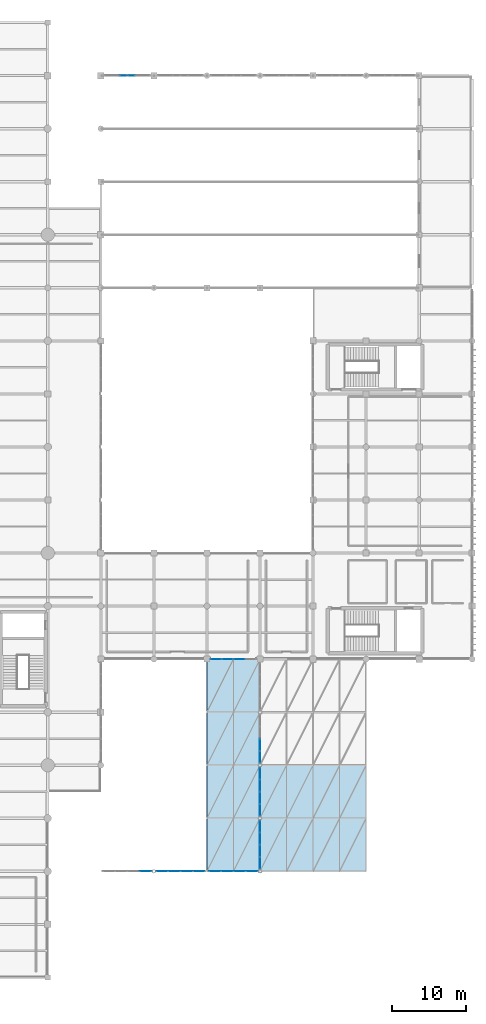
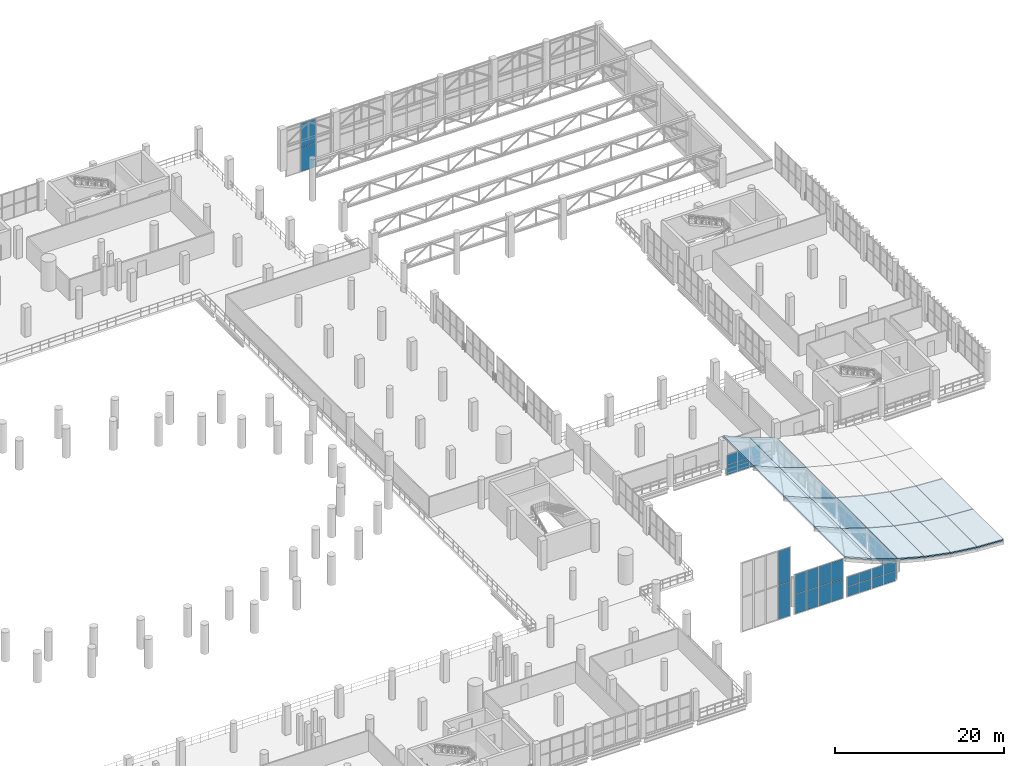
# One storey, part 125 of 153: 46 plates, 16 slabs, 8 elements without a shape of their own.
"""IFC4 building model written with IfcOpenShell, lengths in metres."""

from ifc_helpers import new_model, si_unit, direction, frame, origin, origin_2d, place, context, subcontext, project, spatial, polyline, rectangle, outline, extrude, material, layer, layer_set, type_object, element, aggregate, save


model = new_model("IFC4")

# Units and contexts
model_context = context("Model", 3, precision=1e-05, world=origin(), true_north=direction((0.0, 1.0)))
body_context = subcontext(model_context, "Body", "Model", "MODEL_VIEW")
ifc_project = project(units=[si_unit("LENGTHUNIT", "METRE"), si_unit("AREAUNIT", "SQUARE_METRE"), si_unit("VOLUMEUNIT", "CUBIC_METRE"), si_unit("PLANEANGLEUNIT", "RADIAN"), si_unit("MASSUNIT", "GRAM", prefix="KILO")], contexts=[model_context])

# Site, building, storey
site_placement = place(None, origin())
site = spatial("IfcSite", under=ifc_project, at=site_placement, CompositionType="ELEMENT")
building_placement = place(site_placement, origin())
building = spatial("IfcBuilding", under=site, at=building_placement, Name="Qandorah Velis Arena", CompositionType="ELEMENT")
storey_placement = place(building_placement, frame((0.0, 0.0, 5.39990234375)))
storey = spatial("IfcBuildingStorey", under=building, at=storey_placement, Name="L01", CompositionType="ELEMENT", Elevation=5.39990234375)

# Curtain wall, plates
ifc_material_1 = material(Name="Solar-control low-E double glazing", Category="glass")
curtain_wall_type_1 = type_object("IfcCurtainWallType", Name="ARC-CW-SYS15", PredefinedType="USERDEFINED", material=ifc_material_1)
curtain_wall_1_placement = place(storey_placement, origin())
curtain_wall_1 = element("IfcCurtainWall", 1, at=curtain_wall_1_placement, inside=storey, type_object=curtain_wall_type_1, Name="Unitised curtain wall L01-159", ObjectType="UNITISED CURTAIN WALL", PredefinedType="USERDEFINED")
ifc_layer_1 = layer(ifc_material_1, 0.02392578125)
ifc_layer_set_1 = layer_set([ifc_layer_1], Name="Solar-control low-E double glazing")
plate_type_1 = type_object("IfcPlateType", Name="ARC-CWP-GLZ24", PredefinedType="CURTAIN_PANEL", material=ifc_layer_set_1)
plate_1_placement = place(storey_placement, frame((125.96240234375, 122.39990234375, -1.25), z_axis=(0.0, 0.0, 1.0), x_axis=(1.0, 0.0, 0.0)))
plate_1 = element("IfcPlate", 2, at=plate_1_placement, type_object=plate_type_1, Name="CW15 panel 2.1", PredefinedType="CURTAIN_PANEL", context=body_context, shape_type="SweptSolid", body=[
    extrude(rectangle(XDim=2.034912109375, YDim=0.02392578125, at=origin_2d()), origin(), (0.0, 0.0, 1.0), 3.469970703125),
])
plate_2_placement = place(storey_placement, frame((125.96240234375, 122.39990234375, 2.26025390625), z_axis=(0.0, 0.0, 1.0), x_axis=(1.0, 0.0, 0.0)))
plate_2 = element("IfcPlate", 3, at=plate_2_placement, type_object=plate_type_1, Name="CW15 panel 2.2", PredefinedType="CURTAIN_PANEL", context=body_context, shape_type="SweptSolid", body=[
    extrude(rectangle(XDim=2.034912109375, YDim=0.02392578125, at=origin_2d()), origin(), (0.0, 0.0, 1.0), 3.469970703125),
])
aggregate(curtain_wall_1, [plate_1, plate_2])

curtain_wall_type_2 = type_object("IfcCurtainWallType", Name="ARC-CW-SYS02", PredefinedType="USERDEFINED", material=ifc_material_1)
curtain_wall_2_placement = place(storey_placement, origin())
curtain_wall_2 = element("IfcCurtainWall", 4, at=curtain_wall_2_placement, inside=storey, type_object=curtain_wall_type_2, Name="Unitised curtain wall FOY-UP-1", ObjectType="UNITISED CURTAIN WALL", PredefinedType="USERDEFINED")
ifc_layer_2 = layer(ifc_material_1, 0.035888671875)
ifc_layer_set_2 = layer_set([ifc_layer_2], Name="Solar-control low-E double glazing")
plate_type_2 = type_object("IfcPlateType", Name="ARC-CWP-GLZ36", PredefinedType="CURTAIN_PANEL", material=ifc_layer_set_2)
plate_3_placement = place(storey_placement, frame((128.48681640625, 14.39990234375, -1.2548828125), z_axis=(0.0, 0.0, 1.0), x_axis=(1.0, 0.0, 0.0)))
plate_3 = element("IfcPlate", 5, at=plate_3_placement, type_object=plate_type_2, Name="CW02 panel 4.1", PredefinedType="CURTAIN_PANEL", context=body_context, shape_type="SweptSolid", body=[
    extrude(rectangle(XDim=1.589111328125, YDim=0.035888671875, at=origin_2d()), origin(), (0.0, 0.0, 1.0), 4.904296875),
])
plate_4_placement = place(storey_placement, frame((128.48681640625, 14.39990234375, 3.70458984375), z_axis=(0.0, 0.0, 1.0), x_axis=(1.0, 0.0, 0.0)))
plate_4 = element("IfcPlate", 6, at=plate_4_placement, type_object=plate_type_2, Name="CW02 panel 4.2", PredefinedType="CURTAIN_PANEL", context=body_context, shape_type="SweptSolid", body=[
    extrude(rectangle(XDim=1.589111328125, YDim=0.035888671875, at=origin_2d()), origin(), (0.0, 0.0, 1.0), 4.904296875),
])
aggregate(curtain_wall_2, [plate_3, plate_4])

curtain_wall_type_3 = type_object("IfcCurtainWallType", Name="ARC-CW-SYS03", PredefinedType="USERDEFINED", material=ifc_material_1)
curtain_wall_3_placement = place(storey_placement, origin())
curtain_wall_3 = element("IfcCurtainWall", 7, at=curtain_wall_3_placement, inside=storey, type_object=curtain_wall_type_3, Name="Unitised curtain wall FOY-UP-2", ObjectType="UNITISED CURTAIN WALL", PredefinedType="USERDEFINED")
plate_5_placement = place(storey_placement, frame((130.713134765625, 14.39990234375, -1.2548828125), z_axis=(0.0, 0.0, 1.0), x_axis=(1.0, 0.0, 0.0)))
plate_5 = element("IfcPlate", 8, at=plate_5_placement, type_object=plate_type_2, Name="CW03 panel 1.1", PredefinedType="CURTAIN_PANEL", context=body_context, shape_type="SweptSolid", body=[
    extrude(rectangle(XDim=1.589111328125, YDim=0.035888671875, at=origin_2d()), origin(), (0.0, 0.0, 1.0), 2.802978515625),
])
plate_6_placement = place(storey_placement, frame((130.713134765625, 14.39990234375, 1.603271484375), z_axis=(0.0, 0.0, 1.0), x_axis=(1.0, 0.0, 0.0)))
plate_6 = element("IfcPlate", 9, at=plate_6_placement, type_object=plate_type_2, Name="CW03 panel 1.2", PredefinedType="CURTAIN_PANEL", context=body_context, shape_type="SweptSolid", body=[
    extrude(rectangle(XDim=1.589111328125, YDim=0.035888671875, at=origin_2d()), origin(), (0.0, 0.0, 1.0), 2.80322265625),
])
plate_7_placement = place(storey_placement, frame((132.3759765625, 14.39990234375, -1.2548828125), z_axis=(0.0, 0.0, 1.0), x_axis=(1.0, 0.0, 0.0)))
plate_7 = element("IfcPlate", 10, at=plate_7_placement, type_object=plate_type_2, Name="CW03 panel 2.1", PredefinedType="CURTAIN_PANEL", context=body_context, shape_type="SweptSolid", body=[
    extrude(rectangle(XDim=1.626708984375, YDim=0.035888671875, at=origin_2d()), origin(), (0.0, 0.0, 1.0), 2.802978515625),
])
plate_8_placement = place(storey_placement, frame((132.3759765625, 14.39990234375, 1.603271484375), z_axis=(0.0, 0.0, 1.0), x_axis=(1.0, 0.0, 0.0)))
plate_8 = element("IfcPlate", 11, at=plate_8_placement, type_object=plate_type_2, Name="CW03 panel 2.2", PredefinedType="CURTAIN_PANEL", context=body_context, shape_type="SweptSolid", body=[
    extrude(rectangle(XDim=1.626708984375, YDim=0.035888671875, at=origin_2d()), origin(), (0.0, 0.0, 1.0), 2.80322265625),
])
plate_9_placement = place(storey_placement, frame((134.0576171875, 14.39990234375, -1.2548828125), z_axis=(0.0, 0.0, 1.0), x_axis=(1.0, 0.0, 0.0)))
plate_9 = element("IfcPlate", 12, at=plate_9_placement, type_object=plate_type_2, Name="CW03 panel 3.1", PredefinedType="CURTAIN_PANEL", context=body_context, shape_type="SweptSolid", body=[
    extrude(rectangle(XDim=1.626708984375, YDim=0.035888671875, at=origin_2d()), origin(), (0.0, 0.0, 1.0), 2.802978515625),
])
plate_10_placement = place(storey_placement, frame((134.0576171875, 14.39990234375, 1.603271484375), z_axis=(0.0, 0.0, 1.0), x_axis=(1.0, 0.0, 0.0)))
plate_10 = element("IfcPlate", 13, at=plate_10_placement, type_object=plate_type_2, Name="CW03 panel 3.2", PredefinedType="CURTAIN_PANEL", context=body_context, shape_type="SweptSolid", body=[
    extrude(rectangle(XDim=1.626708984375, YDim=0.035888671875, at=origin_2d()), origin(), (0.0, 0.0, 1.0), 2.80322265625),
])
plate_11_placement = place(storey_placement, frame((135.720458984375, 14.39990234375, -1.2548828125), z_axis=(0.0, 0.0, 1.0), x_axis=(1.0, 0.0, 0.0)))
plate_11 = element("IfcPlate", 14, at=plate_11_placement, type_object=plate_type_2, Name="CW03 panel 4.1", PredefinedType="CURTAIN_PANEL", context=body_context, shape_type="SweptSolid", body=[
    extrude(rectangle(XDim=1.589111328125, YDim=0.035888671875, at=origin_2d()), origin(), (0.0, 0.0, 1.0), 2.802978515625),
])
plate_12_placement = place(storey_placement, frame((135.720458984375, 14.39990234375, 1.603271484375), z_axis=(0.0, 0.0, 1.0), x_axis=(1.0, 0.0, 0.0)))
plate_12 = element("IfcPlate", 15, at=plate_12_placement, type_object=plate_type_2, Name="CW03 panel 4.2", PredefinedType="CURTAIN_PANEL", context=body_context, shape_type="SweptSolid", body=[
    extrude(rectangle(XDim=1.589111328125, YDim=0.035888671875, at=origin_2d()), origin(), (0.0, 0.0, 1.0), 2.80322265625),
])
aggregate(curtain_wall_3, [plate_5, plate_6, plate_7, plate_8, plate_9, plate_10, plate_11, plate_12])

curtain_wall_type_4 = type_object("IfcCurtainWallType", Name="ARC-CW-SYS04", PredefinedType="USERDEFINED", material=ifc_material_1)
curtain_wall_4_placement = place(storey_placement, origin())
curtain_wall_4 = element("IfcCurtainWall", 16, at=curtain_wall_4_placement, inside=storey, type_object=curtain_wall_type_4, Name="Unitised curtain wall FOY-UP-3", ObjectType="UNITISED CURTAIN WALL", PredefinedType="USERDEFINED")
plate_13_placement = place(storey_placement, frame((137.879638671875, 14.39990234375, -1.2548828125), z_axis=(0.0, 0.0, 1.0), x_axis=(1.0, 0.0, 0.0)))
plate_13 = element("IfcPlate", 17, at=plate_13_placement, type_object=plate_type_2, Name="CW04 panel 1.1", PredefinedType="CURTAIN_PANEL", context=body_context, shape_type="SweptSolid", body=[
    extrude(rectangle(XDim=1.589111328125, YDim=0.035888671875, at=origin_2d()), origin(), (0.0, 0.0, 1.0), 1.3857421875),
])
plate_14_placement = place(storey_placement, frame((137.879638671875, 14.39990234375, 0.185791015625), z_axis=(0.0, 0.0, 1.0), x_axis=(1.0, 0.0, 0.0)))
plate_14 = element("IfcPlate", 18, at=plate_14_placement, type_object=plate_type_2, Name="CW04 panel 1.2", PredefinedType="CURTAIN_PANEL", context=body_context, shape_type="SweptSolid", body=[
    extrude(rectangle(XDim=1.589111328125, YDim=0.035888671875, at=origin_2d()), origin(), (0.0, 0.0, 1.0), 1.3857421875),
])
plate_15_placement = place(storey_placement, frame((139.54248046875, 14.39990234375, -1.2548828125), z_axis=(0.0, 0.0, 1.0), x_axis=(1.0, 0.0, 0.0)))
plate_15 = element("IfcPlate", 19, at=plate_15_placement, type_object=plate_type_2, Name="CW04 panel 2.1", PredefinedType="CURTAIN_PANEL", context=body_context, shape_type="SweptSolid", body=[
    extrude(rectangle(XDim=1.626708984375, YDim=0.035888671875, at=origin_2d()), origin(), (0.0, 0.0, 1.0), 1.3857421875),
])
plate_16_placement = place(storey_placement, frame((139.54248046875, 14.39990234375, 0.185791015625), z_axis=(0.0, 0.0, 1.0), x_axis=(1.0, 0.0, 0.0)))
plate_16 = element("IfcPlate", 20, at=plate_16_placement, type_object=plate_type_2, Name="CW04 panel 2.2", PredefinedType="CURTAIN_PANEL", context=body_context, shape_type="SweptSolid", body=[
    extrude(rectangle(XDim=1.626708984375, YDim=0.035888671875, at=origin_2d()), origin(), (0.0, 0.0, 1.0), 1.3857421875),
])
plate_17_placement = place(storey_placement, frame((141.22412109375, 14.39990234375, -1.2548828125), z_axis=(0.0, 0.0, 1.0), x_axis=(1.0, 0.0, 0.0)))
plate_17 = element("IfcPlate", 21, at=plate_17_placement, type_object=plate_type_2, Name="CW04 panel 3.1", PredefinedType="CURTAIN_PANEL", context=body_context, shape_type="SweptSolid", body=[
    extrude(rectangle(XDim=1.626708984375, YDim=0.035888671875, at=origin_2d()), origin(), (0.0, 0.0, 1.0), 1.3857421875),
])
plate_18_placement = place(storey_placement, frame((141.22412109375, 14.39990234375, 0.185791015625), z_axis=(0.0, 0.0, 1.0), x_axis=(1.0, 0.0, 0.0)))
plate_18 = element("IfcPlate", 22, at=plate_18_placement, type_object=plate_type_2, Name="CW04 panel 3.2", PredefinedType="CURTAIN_PANEL", context=body_context, shape_type="SweptSolid", body=[
    extrude(rectangle(XDim=1.626708984375, YDim=0.035888671875, at=origin_2d()), origin(), (0.0, 0.0, 1.0), 1.3857421875),
])
plate_19_placement = place(storey_placement, frame((142.886962890625, 14.39990234375, -1.2548828125), z_axis=(0.0, 0.0, 1.0), x_axis=(1.0, 0.0, 0.0)))
plate_19 = element("IfcPlate", 23, at=plate_19_placement, type_object=plate_type_2, Name="CW04 panel 4.1", PredefinedType="CURTAIN_PANEL", context=body_context, shape_type="SweptSolid", body=[
    extrude(rectangle(XDim=1.589111328125, YDim=0.035888671875, at=origin_2d()), origin(), (0.0, 0.0, 1.0), 1.3857421875),
])
plate_20_placement = place(storey_placement, frame((142.886962890625, 14.39990234375, 0.185791015625), z_axis=(0.0, 0.0, 1.0), x_axis=(1.0, 0.0, 0.0)))
plate_20 = element("IfcPlate", 24, at=plate_20_placement, type_object=plate_type_2, Name="CW04 panel 4.2", PredefinedType="CURTAIN_PANEL", context=body_context, shape_type="SweptSolid", body=[
    extrude(rectangle(XDim=1.589111328125, YDim=0.035888671875, at=origin_2d()), origin(), (0.0, 0.0, 1.0), 1.3857421875),
])
aggregate(curtain_wall_4, [plate_13, plate_14, plate_15, plate_16, plate_17, plate_18, plate_19, plate_20])

curtain_wall_type_5 = type_object("IfcCurtainWallType", Name="ARC-CW-SYS05", PredefinedType="USERDEFINED", material=ifc_material_1)
curtain_wall_5_placement = place(storey_placement, origin())
curtain_wall_5 = element("IfcCurtainWall", 25, at=curtain_wall_5_placement, inside=storey, type_object=curtain_wall_type_5, Name="Unitised curtain wall FOY-UP-4", ObjectType="UNITISED CURTAIN WALL", PredefinedType="USERDEFINED")
plate_21_placement = place(storey_placement, frame((138.03125, 43.199951171875, -1.2548828125), z_axis=(0.0, 0.0, 1.0), x_axis=(1.0, 0.0, 0.0)))
plate_21 = element("IfcPlate", 26, at=plate_21_placement, type_object=plate_type_2, Name="CW05 panel 1.1", PredefinedType="CURTAIN_PANEL", context=body_context, shape_type="SweptSolid", body=[
    extrude(rectangle(XDim=1.482421875, YDim=0.035888671875, at=origin_2d()), origin(), (0.0, 0.0, 1.0), 1.3857421875),
])
plate_22_placement = place(storey_placement, frame((138.03125, 43.199951171875, 0.185791015625), z_axis=(0.0, 0.0, 1.0), x_axis=(1.0, 0.0, 0.0)))
plate_22 = element("IfcPlate", 27, at=plate_22_placement, type_object=plate_type_2, Name="CW05 panel 1.2", PredefinedType="CURTAIN_PANEL", context=body_context, shape_type="SweptSolid", body=[
    extrude(rectangle(XDim=1.482421875, YDim=0.035888671875, at=origin_2d()), origin(), (0.0, 0.0, 1.0), 1.3857421875),
])
plate_23_placement = place(storey_placement, frame((139.58740234375, 43.199951171875, -1.2548828125), z_axis=(0.0, 0.0, 1.0), x_axis=(1.0, 0.0, 0.0)))
plate_23 = element("IfcPlate", 28, at=plate_23_placement, type_object=plate_type_2, Name="CW05 panel 2.1", PredefinedType="CURTAIN_PANEL", context=body_context, shape_type="SweptSolid", body=[
    extrude(rectangle(XDim=1.52001953125, YDim=0.035888671875, at=origin_2d()), origin(), (0.0, 0.0, 1.0), 1.3857421875),
])
plate_24_placement = place(storey_placement, frame((139.58740234375, 43.199951171875, 0.185791015625), z_axis=(0.0, 0.0, 1.0), x_axis=(1.0, 0.0, 0.0)))
plate_24 = element("IfcPlate", 29, at=plate_24_placement, type_object=plate_type_2, Name="CW05 panel 2.2", PredefinedType="CURTAIN_PANEL", context=body_context, shape_type="SweptSolid", body=[
    extrude(rectangle(XDim=1.52001953125, YDim=0.035888671875, at=origin_2d()), origin(), (0.0, 0.0, 1.0), 1.3857421875),
])
plate_25_placement = place(storey_placement, frame((141.16259765625, 43.199951171875, -1.2548828125), z_axis=(0.0, 0.0, 1.0), x_axis=(1.0, 0.0, 0.0)))
plate_25 = element("IfcPlate", 30, at=plate_25_placement, type_object=plate_type_2, Name="CW05 panel 3.1", PredefinedType="CURTAIN_PANEL", context=body_context, shape_type="SweptSolid", body=[
    extrude(rectangle(XDim=1.52001953125, YDim=0.035888671875, at=origin_2d()), origin(), (0.0, 0.0, 1.0), 1.3857421875),
])
plate_26_placement = place(storey_placement, frame((141.16259765625, 43.199951171875, 0.185791015625), z_axis=(0.0, 0.0, 1.0), x_axis=(1.0, 0.0, 0.0)))
plate_26 = element("IfcPlate", 31, at=plate_26_placement, type_object=plate_type_2, Name="CW05 panel 3.2", PredefinedType="CURTAIN_PANEL", context=body_context, shape_type="SweptSolid", body=[
    extrude(rectangle(XDim=1.52001953125, YDim=0.035888671875, at=origin_2d()), origin(), (0.0, 0.0, 1.0), 1.3857421875),
])
aggregate(curtain_wall_5, [plate_21, plate_22, plate_23, plate_24, plate_25, plate_26])

curtain_wall_type_6 = type_object("IfcCurtainWallType", Name="ARC-CW-SYS06", PredefinedType="USERDEFINED", material=ifc_material_1)
curtain_wall_6_placement = place(storey_placement, origin())
curtain_wall_6 = element("IfcCurtainWall", 32, at=curtain_wall_6_placement, inside=storey, type_object=curtain_wall_type_6, Name="Unitised curtain wall FOY-UP-5", ObjectType="UNITISED CURTAIN WALL", PredefinedType="USERDEFINED")
plate_27_placement = place(storey_placement, frame((144.0, 15.5087890625, -1.2548828125), z_axis=(0.0, 0.0, 1.0), x_axis=(0.0, 1.0, 0.0)))
plate_27 = element("IfcPlate", 33, at=plate_27_placement, type_object=plate_type_2, Name="CW06 panel 1.1", PredefinedType="CURTAIN_PANEL", context=body_context, shape_type="SweptSolid", body=[
    extrude(rectangle(XDim=1.580810546875, YDim=0.035888671875, at=origin_2d()), origin(), (0.0, 0.0, 1.0), 1.351806640625),
])
plate_28_placement = place(storey_placement, frame((144.0, 15.5087890625, 0.15185546875), z_axis=(0.0, 0.0, 1.0), x_axis=(0.0, 1.0, 0.0)))
plate_28 = element("IfcPlate", 34, at=plate_28_placement, type_object=plate_type_2, Name="CW06 panel 1.2", PredefinedType="CURTAIN_PANEL", context=body_context, shape_type="SweptSolid", body=[
    extrude(rectangle(XDim=1.580810546875, YDim=0.035888671875, at=origin_2d()), origin(), (0.0, 0.0, 1.0), 1.351806640625),
])
plate_29_placement = place(storey_placement, frame((144.0, 17.163330078125, -1.2548828125), z_axis=(0.0, 0.0, 1.0), x_axis=(0.0, 1.0, 0.0)))
plate_29 = element("IfcPlate", 35, at=plate_29_placement, type_object=plate_type_2, Name="CW06 panel 2.1", PredefinedType="CURTAIN_PANEL", context=body_context, shape_type="SweptSolid", body=[
    extrude(rectangle(XDim=1.6181640625, YDim=0.035888671875, at=origin_2d()), origin(), (0.0, 0.0, 1.0), 1.351806640625),
])
plate_30_placement = place(storey_placement, frame((144.0, 17.163330078125, 0.15185546875), z_axis=(0.0, 0.0, 1.0), x_axis=(0.0, 1.0, 0.0)))
plate_30 = element("IfcPlate", 36, at=plate_30_placement, type_object=plate_type_2, Name="CW06 panel 2.2", PredefinedType="CURTAIN_PANEL", context=body_context, shape_type="SweptSolid", body=[
    extrude(rectangle(XDim=1.6181640625, YDim=0.035888671875, at=origin_2d()), origin(), (0.0, 0.0, 1.0), 1.351806640625),
])
plate_31_placement = place(storey_placement, frame((144.0, 18.836669921875, -1.2548828125), z_axis=(0.0, 0.0, 1.0), x_axis=(0.0, 1.0, 0.0)))
plate_31 = element("IfcPlate", 37, at=plate_31_placement, type_object=plate_type_2, Name="CW06 panel 3.1", PredefinedType="CURTAIN_PANEL", context=body_context, shape_type="SweptSolid", body=[
    extrude(rectangle(XDim=1.618408203125, YDim=0.035888671875, at=origin_2d()), origin(), (0.0, 0.0, 1.0), 1.351806640625),
])
plate_32_placement = place(storey_placement, frame((144.0, 18.836669921875, 0.15185546875), z_axis=(0.0, 0.0, 1.0), x_axis=(0.0, 1.0, 0.0)))
plate_32 = element("IfcPlate", 38, at=plate_32_placement, type_object=plate_type_2, Name="CW06 panel 3.2", PredefinedType="CURTAIN_PANEL", context=body_context, shape_type="SweptSolid", body=[
    extrude(rectangle(XDim=1.618408203125, YDim=0.035888671875, at=origin_2d()), origin(), (0.0, 0.0, 1.0), 1.351806640625),
])
plate_33_placement = place(storey_placement, frame((144.0, 20.4912109375, -1.2548828125), z_axis=(0.0, 0.0, 1.0), x_axis=(0.0, 1.0, 0.0)))
plate_33 = element("IfcPlate", 39, at=plate_33_placement, type_object=plate_type_2, Name="CW06 panel 4.1", PredefinedType="CURTAIN_PANEL", context=body_context, shape_type="SweptSolid", body=[
    extrude(rectangle(XDim=1.580810546875, YDim=0.035888671875, at=origin_2d()), origin(), (0.0, 0.0, 1.0), 1.351806640625),
])
plate_34_placement = place(storey_placement, frame((144.0, 20.4912109375, 0.15185546875), z_axis=(0.0, 0.0, 1.0), x_axis=(0.0, 1.0, 0.0)))
plate_34 = element("IfcPlate", 40, at=plate_34_placement, type_object=plate_type_2, Name="CW06 panel 4.2", PredefinedType="CURTAIN_PANEL", context=body_context, shape_type="SweptSolid", body=[
    extrude(rectangle(XDim=1.580810546875, YDim=0.035888671875, at=origin_2d()), origin(), (0.0, 0.0, 1.0), 1.351806640625),
])
aggregate(curtain_wall_6, [plate_27, plate_28, plate_29, plate_30, plate_31, plate_32, plate_33, plate_34])

curtain_wall_type_7 = type_object("IfcCurtainWallType", Name="ARC-CW-SYS07", PredefinedType="USERDEFINED", material=ifc_material_1)
curtain_wall_7_placement = place(storey_placement, origin())
curtain_wall_7 = element("IfcCurtainWall", 41, at=curtain_wall_7_placement, inside=storey, type_object=curtain_wall_type_7, Name="Unitised curtain wall FOY-UP-6", ObjectType="UNITISED CURTAIN WALL", PredefinedType="USERDEFINED")
plate_35_placement = place(storey_placement, frame((144.0, 22.708984375, -1.2548828125), z_axis=(0.0, 0.0, 1.0), x_axis=(0.0, 1.0, 0.0)))
plate_35 = element("IfcPlate", 42, at=plate_35_placement, type_object=plate_type_2, Name="CW07 panel 1.1", PredefinedType="CURTAIN_PANEL", context=body_context, shape_type="SweptSolid", body=[
    extrude(rectangle(XDim=1.580810546875, YDim=0.035888671875, at=origin_2d()), origin(), (0.0, 0.0, 1.0), 1.351806640625),
])
plate_36_placement = place(storey_placement, frame((144.0, 22.708984375, 0.15185546875), z_axis=(0.0, 0.0, 1.0), x_axis=(0.0, 1.0, 0.0)))
plate_36 = element("IfcPlate", 43, at=plate_36_placement, type_object=plate_type_2, Name="CW07 panel 1.2", PredefinedType="CURTAIN_PANEL", context=body_context, shape_type="SweptSolid", body=[
    extrude(rectangle(XDim=1.580810546875, YDim=0.035888671875, at=origin_2d()), origin(), (0.0, 0.0, 1.0), 1.351806640625),
])
plate_37_placement = place(storey_placement, frame((144.0, 24.36328125, -1.2548828125), z_axis=(0.0, 0.0, 1.0), x_axis=(0.0, 1.0, 0.0)))
plate_37 = element("IfcPlate", 44, at=plate_37_placement, type_object=plate_type_2, Name="CW07 panel 2.1", PredefinedType="CURTAIN_PANEL", context=body_context, shape_type="SweptSolid", body=[
    extrude(rectangle(XDim=1.618408203125, YDim=0.035888671875, at=origin_2d()), origin(), (0.0, 0.0, 1.0), 1.351806640625),
])
plate_38_placement = place(storey_placement, frame((144.0, 24.36328125, 0.15185546875), z_axis=(0.0, 0.0, 1.0), x_axis=(0.0, 1.0, 0.0)))
plate_38 = element("IfcPlate", 45, at=plate_38_placement, type_object=plate_type_2, Name="CW07 panel 2.2", PredefinedType="CURTAIN_PANEL", context=body_context, shape_type="SweptSolid", body=[
    extrude(rectangle(XDim=1.618408203125, YDim=0.035888671875, at=origin_2d()), origin(), (0.0, 0.0, 1.0), 1.351806640625),
])
plate_39_placement = place(storey_placement, frame((144.0, 26.03662109375, -1.2548828125), z_axis=(0.0, 0.0, 1.0), x_axis=(0.0, 1.0, 0.0)))
plate_39 = element("IfcPlate", 46, at=plate_39_placement, type_object=plate_type_2, Name="CW07 panel 3.1", PredefinedType="CURTAIN_PANEL", context=body_context, shape_type="SweptSolid", body=[
    extrude(rectangle(XDim=1.618408203125, YDim=0.035888671875, at=origin_2d()), origin(), (0.0, 0.0, 1.0), 1.351806640625),
])
plate_40_placement = place(storey_placement, frame((144.0, 26.03662109375, 0.15185546875), z_axis=(0.0, 0.0, 1.0), x_axis=(0.0, 1.0, 0.0)))
plate_40 = element("IfcPlate", 47, at=plate_40_placement, type_object=plate_type_2, Name="CW07 panel 3.2", PredefinedType="CURTAIN_PANEL", context=body_context, shape_type="SweptSolid", body=[
    extrude(rectangle(XDim=1.618408203125, YDim=0.035888671875, at=origin_2d()), origin(), (0.0, 0.0, 1.0), 1.351806640625),
])
plate_41_placement = place(storey_placement, frame((144.0, 27.691162109375, -1.2548828125), z_axis=(0.0, 0.0, 1.0), x_axis=(0.0, 1.0, 0.0)))
plate_41 = element("IfcPlate", 48, at=plate_41_placement, type_object=plate_type_2, Name="CW07 panel 4.1", PredefinedType="CURTAIN_PANEL", context=body_context, shape_type="SweptSolid", body=[
    extrude(rectangle(XDim=1.580810546875, YDim=0.035888671875, at=origin_2d()), origin(), (0.0, 0.0, 1.0), 1.351806640625),
])
plate_42_placement = place(storey_placement, frame((144.0, 27.691162109375, 0.15185546875), z_axis=(0.0, 0.0, 1.0), x_axis=(0.0, 1.0, 0.0)))
plate_42 = element("IfcPlate", 49, at=plate_42_placement, type_object=plate_type_2, Name="CW07 panel 4.2", PredefinedType="CURTAIN_PANEL", context=body_context, shape_type="SweptSolid", body=[
    extrude(rectangle(XDim=1.580810546875, YDim=0.035888671875, at=origin_2d()), origin(), (0.0, 0.0, 1.0), 1.351806640625),
])
aggregate(curtain_wall_7, [plate_35, plate_36, plate_37, plate_38, plate_39, plate_40, plate_41, plate_42])

curtain_wall_type_8 = type_object("IfcCurtainWallType", Name="ARC-CW-SYS08", PredefinedType="USERDEFINED", material=ifc_material_1)
curtain_wall_8_placement = place(storey_placement, origin())
curtain_wall_8 = element("IfcCurtainWall", 50, at=curtain_wall_8_placement, inside=storey, type_object=curtain_wall_type_8, Name="Unitised curtain wall FOY-UP-7", ObjectType="UNITISED CURTAIN WALL", PredefinedType="USERDEFINED")
plate_43_placement = place(storey_placement, frame((144.0, 29.908935546875, -1.2548828125), z_axis=(0.0, 0.0, 1.0), x_axis=(0.0, 1.0, 0.0)))
plate_43 = element("IfcPlate", 51, at=plate_43_placement, type_object=plate_type_2, Name="CW08 panel 1.1", PredefinedType="CURTAIN_PANEL", context=body_context, shape_type="SweptSolid", body=[
    extrude(rectangle(XDim=1.580810546875, YDim=0.035888671875, at=origin_2d()), origin(), (0.0, 0.0, 1.0), 1.351806640625),
])
plate_44_placement = place(storey_placement, frame((144.0, 29.908935546875, 0.15185546875), z_axis=(0.0, 0.0, 1.0), x_axis=(0.0, 1.0, 0.0)))
plate_44 = element("IfcPlate", 52, at=plate_44_placement, type_object=plate_type_2, Name="CW08 panel 1.2", PredefinedType="CURTAIN_PANEL", context=body_context, shape_type="SweptSolid", body=[
    extrude(rectangle(XDim=1.580810546875, YDim=0.035888671875, at=origin_2d()), origin(), (0.0, 0.0, 1.0), 1.351806640625),
])
plate_45_placement = place(storey_placement, frame((144.0, 31.5634765625, -1.2548828125), z_axis=(0.0, 0.0, 1.0), x_axis=(0.0, 1.0, 0.0)))
plate_45 = element("IfcPlate", 53, at=plate_45_placement, type_object=plate_type_2, Name="CW08 panel 2.1", PredefinedType="CURTAIN_PANEL", context=body_context, shape_type="SweptSolid", body=[
    extrude(rectangle(XDim=1.6181640625, YDim=0.035888671875, at=origin_2d()), origin(), (0.0, 0.0, 1.0), 1.351806640625),
])
plate_46_placement = place(storey_placement, frame((144.0, 31.5634765625, 0.15185546875), z_axis=(0.0, 0.0, 1.0), x_axis=(0.0, 1.0, 0.0)))
plate_46 = element("IfcPlate", 54, at=plate_46_placement, type_object=plate_type_2, Name="CW08 panel 2.2", PredefinedType="CURTAIN_PANEL", context=body_context, shape_type="SweptSolid", body=[
    extrude(rectangle(XDim=1.6181640625, YDim=0.035888671875, at=origin_2d()), origin(), (0.0, 0.0, 1.0), 1.351806640625),
])
aggregate(curtain_wall_8, [plate_43, plate_44, plate_45, plate_46])

# Slabs
ifc_material_2 = material(Name="Concrete C40/50", Category="concrete")
ifc_layer_3 = layer(ifc_material_2, 0.179931640625)
ifc_layer_set_3 = layer_set([ifc_layer_3], Name="Concrete C40/50")
slab_type = type_object("IfcSlabType", Name="STR-SLB-RF180", PredefinedType="ROOF", material=ifc_layer_set_3)
slab_1_placement = place(storey_placement, frame((136.800048828125, 14.39990234375, 4.6259765625), z_axis=(0.395692595501, 0.0, 0.918383019151), x_axis=(0.918383019151, 0.0, -0.395692595501)))
element("IfcSlab", 55, at=slab_1_placement, inside=storey, type_object=slab_type, Name="Sweeping entrance canopy deck 1.07", PredefinedType="ROOF", context=body_context, shape_type="SweptSolid", body=[
    extrude(outline(polyline([(0.0, 0.0), (3.9197736026869086, 0.0), (3.9197736026869086, 7.200195312500002), (0.0, 7.200195312500002), (0.0, 0.0)])), origin(), (0.0, 0.0, -1.0), 0.179931640625),
])
slab_2_placement = place(storey_placement, frame((140.39990234375, 14.39990234375, 3.074951171875), z_axis=(0.327088553181, 0.0, 0.944993692242), x_axis=(0.944993692242, 0.0, -0.327088553181)))
element("IfcSlab", 56, at=slab_2_placement, inside=storey, type_object=slab_type, Name="Sweeping entrance canopy deck 1.08", PredefinedType="ROOF", context=body_context, shape_type="SweptSolid", body=[
    extrude(outline(polyline([(0.0, 0.0), (3.8096525784283544, 0.0), (3.8096525784283544, 7.200195312500002), (0.0, 7.200195312500002), (0.0, 0.0)])), origin(), (0.0, 0.0, -1.0), 0.179931640625),
])
slab_3_placement = place(storey_placement, frame((144.0, 14.39990234375, 1.828857421875), z_axis=(0.258502494813, 0.0, 0.966010590095), x_axis=(0.966010590095, 0.0, -0.258502494813)))
element("IfcSlab", 57, at=slab_3_placement, inside=storey, type_object=slab_type, Name="Sweeping entrance canopy deck 1.09", PredefinedType="ROOF", context=body_context, shape_type="SweptSolid", body=[
    extrude(outline(polyline([(0.0, 0.0), (3.726768312029095, 0.0), (3.726768312029095, 7.2001953125), (0.0, 7.2001953125), (0.0, 0.0)])), origin(), (0.0, 0.0, -1.0), 0.179931640625),
])
slab_4_placement = place(storey_placement, frame((147.60009765625, 14.39990234375, 0.865478515625), z_axis=(0.18983763873, 0.0, 0.981815497393), x_axis=(0.981815497393, 0.0, -0.18983763873)))
element("IfcSlab", 58, at=slab_4_placement, inside=storey, type_object=slab_type, Name="Sweeping entrance canopy deck 1.10", PredefinedType="ROOF", context=body_context, shape_type="SweptSolid", body=[
    extrude(outline(polyline([(0.0, 0.0), (3.666527494404706, 0.0), (3.666527494404706, 7.2001953125), (0.0, 7.2001953125), (0.0, 0.0)])), origin(), (0.0, 0.0, -1.0), 0.179931640625),
])
slab_5_placement = place(storey_placement, frame((151.199951171875, 14.39990234375, 0.16943359375), z_axis=(0.121233945212, 0.0, 0.992623962298), x_axis=(0.992623962298, 0.0, -0.121233945212)))
element("IfcSlab", 59, at=slab_5_placement, inside=storey, type_object=slab_type, Name="Sweeping entrance canopy deck 1.11", PredefinedType="ROOF", context=body_context, shape_type="SweptSolid", body=[
    extrude(outline(polyline([(0.0, 0.0), (3.6268494344175424, 0.0), (3.6268494344175424, 7.200195312500002), (0.0, 7.200195312500002), (0.0, 0.0)])), origin(), (0.0, 0.0, -1.0), 0.179931640625),
])
slab_6_placement = place(storey_placement, frame((154.800048828125, 14.39990234375, -0.270263671875), z_axis=(0.0526228169, 0.0, 0.99861445971), x_axis=(0.99861445971, 0.0, -0.0526228169)))
element("IfcSlab", 60, at=slab_6_placement, inside=storey, type_object=slab_type, Name="Sweeping entrance canopy deck 1.12", PredefinedType="ROOF", context=body_context, shape_type="SweptSolid", body=[
    extrude(outline(polyline([(0.0, 0.0), (3.6048481780157227, 0.0), (3.6048481780157227, 7.2001953125), (0.0, 7.2001953125), (0.0, 0.0)])), origin(), (0.0, 0.0, -1.0), 0.179931640625),
])
slab_7_placement = place(storey_placement, frame((136.800048828125, 21.60009765625, 4.6259765625), z_axis=(0.395692595501, 0.0, 0.918383019151), x_axis=(0.918383019151, 0.0, -0.395692595501)))
element("IfcSlab", 61, at=slab_7_placement, inside=storey, type_object=slab_type, Name="Sweeping entrance canopy deck 2.07", PredefinedType="ROOF", context=body_context, shape_type="SweptSolid", body=[
    extrude(outline(polyline([(0.0, 0.0), (3.9197736026869086, 0.0), (3.9197736026869086, 7.199951171875), (0.0, 7.199951171875), (0.0, 0.0)])), origin(), (0.0, 0.0, -1.0), 0.179931640625),
])
slab_8_placement = place(storey_placement, frame((140.39990234375, 21.60009765625, 3.074951171875), z_axis=(0.327088553181, 0.0, 0.944993692242), x_axis=(0.944993692242, 0.0, -0.327088553181)))
element("IfcSlab", 62, at=slab_8_placement, inside=storey, type_object=slab_type, Name="Sweeping entrance canopy deck 2.08", PredefinedType="ROOF", context=body_context, shape_type="SweptSolid", body=[
    extrude(outline(polyline([(0.0, 0.0), (3.8096525784283544, 0.0), (3.8096525784283544, 7.199951171875), (0.0, 7.199951171875), (0.0, 0.0)])), origin(), (0.0, 0.0, -1.0), 0.179931640625),
])
slab_9_placement = place(storey_placement, frame((144.0, 21.60009765625, 1.828857421875), z_axis=(0.258502494813, 0.0, 0.966010590095), x_axis=(0.966010590095, 0.0, -0.258502494813)))
element("IfcSlab", 63, at=slab_9_placement, inside=storey, type_object=slab_type, Name="Sweeping entrance canopy deck 2.09", PredefinedType="ROOF", context=body_context, shape_type="SweptSolid", body=[
    extrude(outline(polyline([(0.0, 0.0), (3.726768312029095, 0.0), (3.726768312029095, 7.199951171875), (0.0, 7.199951171875), (0.0, 0.0)])), origin(), (0.0, 0.0, -1.0), 0.179931640625),
])
slab_10_placement = place(storey_placement, frame((147.60009765625, 21.60009765625, 0.865478515625), z_axis=(0.18983763873, 0.0, 0.981815497393), x_axis=(0.981815497393, 0.0, -0.18983763873)))
element("IfcSlab", 64, at=slab_10_placement, inside=storey, type_object=slab_type, Name="Sweeping entrance canopy deck 2.10", PredefinedType="ROOF", context=body_context, shape_type="SweptSolid", body=[
    extrude(outline(polyline([(0.0, 0.0), (3.666527494404706, 0.0), (3.666527494404706, 7.199951171875), (0.0, 7.199951171875), (0.0, 0.0)])), origin(), (0.0, 0.0, -1.0), 0.179931640625),
])
slab_11_placement = place(storey_placement, frame((151.199951171875, 21.60009765625, 0.16943359375), z_axis=(0.121233945212, 0.0, 0.992623962298), x_axis=(0.992623962298, 0.0, -0.121233945212)))
element("IfcSlab", 65, at=slab_11_placement, inside=storey, type_object=slab_type, Name="Sweeping entrance canopy deck 2.11", PredefinedType="ROOF", context=body_context, shape_type="SweptSolid", body=[
    extrude(outline(polyline([(0.0, 0.0), (3.6268494344175424, 0.0), (3.6268494344175424, 7.199951171875), (0.0, 7.199951171875), (0.0, 0.0)])), origin(), (0.0, 0.0, -1.0), 0.179931640625),
])
slab_12_placement = place(storey_placement, frame((154.800048828125, 21.60009765625, -0.270263671875), z_axis=(0.0526228169, 0.0, 0.99861445971), x_axis=(0.99861445971, 0.0, -0.0526228169)))
element("IfcSlab", 66, at=slab_12_placement, inside=storey, type_object=slab_type, Name="Sweeping entrance canopy deck 2.12", PredefinedType="ROOF", context=body_context, shape_type="SweptSolid", body=[
    extrude(outline(polyline([(0.0, 0.0), (3.6048481780157227, 0.0), (3.6048481780157227, 7.199951171874999), (0.0, 7.199951171874999), (0.0, 0.0)])), origin(), (0.0, 0.0, -1.0), 0.179931640625),
])
slab_13_placement = place(storey_placement, frame((136.800048828125, 28.800048828125, 4.6259765625), z_axis=(0.395692595501, 0.0, 0.918383019151), x_axis=(0.918383019151, 0.0, -0.395692595501)))
element("IfcSlab", 67, at=slab_13_placement, inside=storey, type_object=slab_type, Name="Sweeping entrance canopy deck 3.07", PredefinedType="ROOF", context=body_context, shape_type="SweptSolid", body=[
    extrude(outline(polyline([(0.0, 0.0), (3.9197736026869086, 0.0), (3.9197736026869086, 7.199951171875), (0.0, 7.199951171875), (0.0, 0.0)])), origin(), (0.0, 0.0, -1.0), 0.179931640625),
])
slab_14_placement = place(storey_placement, frame((140.39990234375, 28.800048828125, 3.074951171875), z_axis=(0.327088553181, 0.0, 0.944993692242), x_axis=(0.944993692242, 0.0, -0.327088553181)))
element("IfcSlab", 68, at=slab_14_placement, inside=storey, type_object=slab_type, Name="Sweeping entrance canopy deck 3.08", PredefinedType="ROOF", context=body_context, shape_type="SweptSolid", body=[
    extrude(outline(polyline([(0.0, 0.0), (3.8096525784283544, 0.0), (3.8096525784283544, 7.199951171875), (0.0, 7.199951171875), (0.0, 0.0)])), origin(), (0.0, 0.0, -1.0), 0.179931640625),
])
slab_15_placement = place(storey_placement, frame((136.800048828125, 36.0, 4.6259765625), z_axis=(0.395692595501, 0.0, 0.918383019151), x_axis=(0.918383019151, 0.0, -0.395692595501)))
element("IfcSlab", 69, at=slab_15_placement, inside=storey, type_object=slab_type, Name="Sweeping entrance canopy deck 4.07", PredefinedType="ROOF", context=body_context, shape_type="SweptSolid", body=[
    extrude(outline(polyline([(0.0, 0.0), (3.9197736026869086, 0.0), (3.9197736026869086, 7.199951171875), (0.0, 7.199951171875), (0.0, 0.0)])), origin(), (0.0, 0.0, -1.0), 0.179931640625),
])
slab_16_placement = place(storey_placement, frame((140.39990234375, 36.0, 3.074951171875), z_axis=(0.327088553181, 0.0, 0.944993692242), x_axis=(0.944993692242, 0.0, -0.327088553181)))
element("IfcSlab", 70, at=slab_16_placement, inside=storey, type_object=slab_type, Name="Sweeping entrance canopy deck 4.08", PredefinedType="ROOF", context=body_context, shape_type="SweptSolid", body=[
    extrude(outline(polyline([(0.0, 0.0), (3.8096525784283544, 0.0), (3.8096525784283544, 7.199951171875), (0.0, 7.199951171875), (0.0, 0.0)])), origin(), (0.0, 0.0, -1.0), 0.179931640625),
])

save(model, "model.ifc")
